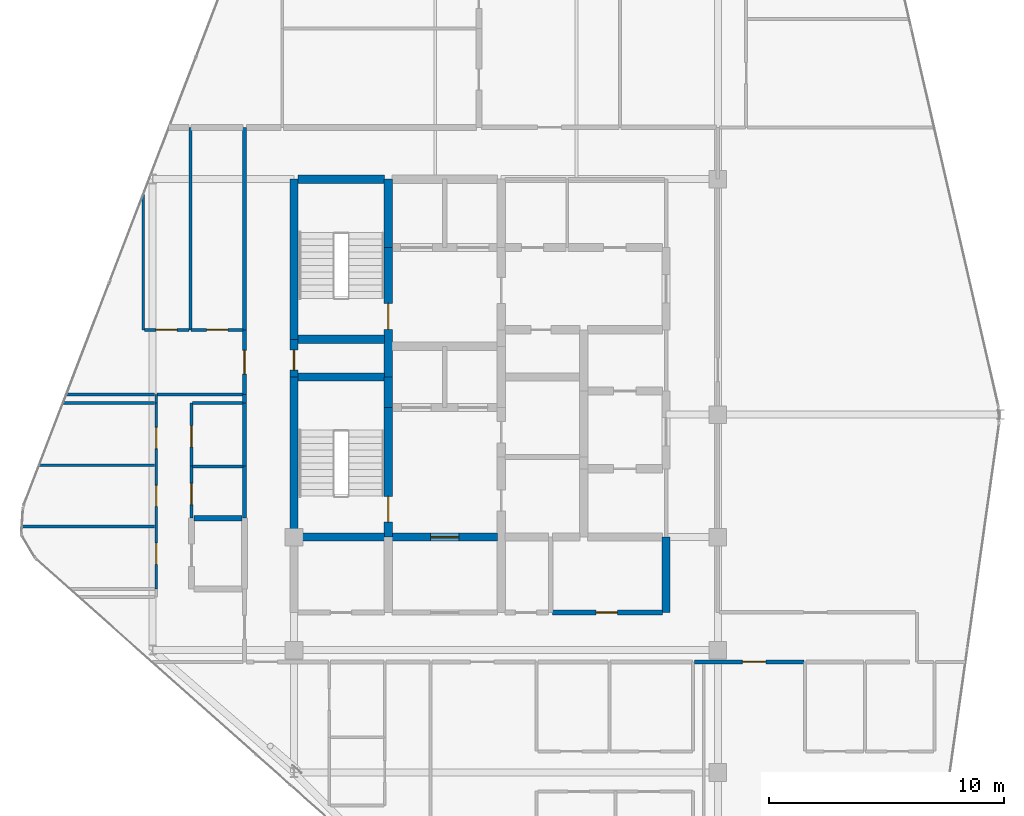
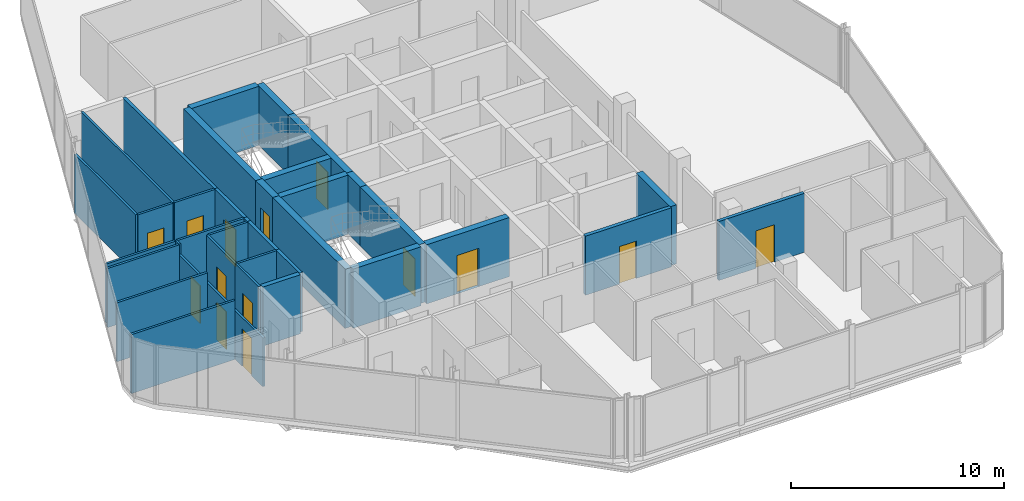
# One storey, part 23 of 27: 36 walls, 14 doors, 14 openings.
"""IFC4 building model written with IfcOpenShell, lengths in metres."""

from ifc_helpers import new_model, si_unit, direction, frame, frame_2d, origin, place, context, subcontext, project, spatial, rectangle, extrude, material, layer, layer_set, type_object, element, fill, save


model = new_model("IFC4")

# Units and contexts
model_context = context("Model", 3, precision=1e-05, world=origin(), true_north=direction((0.0, 1.0)))
body_context = subcontext(model_context, "Body", "Model", "MODEL_VIEW")
ifc_project = project(units=[si_unit("LENGTHUNIT", "METRE"), si_unit("AREAUNIT", "SQUARE_METRE"), si_unit("VOLUMEUNIT", "CUBIC_METRE"), si_unit("PLANEANGLEUNIT", "RADIAN"), si_unit("MASSUNIT", "GRAM", prefix="KILO")], contexts=[model_context])

# Site, building, storey
site_placement = place(None, origin())
site = spatial("IfcSite", under=ifc_project, at=site_placement, CompositionType="ELEMENT")
building_placement = place(site_placement, origin())
building = spatial("IfcBuilding", under=site, at=building_placement, Name="Keshet Zoharim Tower", CompositionType="ELEMENT")
storey_placement = place(building_placement, frame((0.0, 0.0, 247.300048828125)))
storey = spatial("IfcBuildingStorey", under=building, at=storey_placement, Name="L61", CompositionType="ELEMENT", Elevation=247.300048828125)

# Wall
ifc_material_1 = material(Name="Concrete C60/75", Category="concrete")
ifc_layer_1 = layer(ifc_material_1, 0.35009765625)
ifc_layer_set_1 = layer_set([ifc_layer_1], Name="Concrete C60/75")
wall_type_1 = type_object("IfcWallType", Name="WL-CORE-350", PredefinedType="SHEAR", material=ifc_layer_set_1)
wall_1_placement = place(storey_placement, frame((15.0, 22.699951171875, 0.0), z_axis=(0.0, 0.0, 1.0), x_axis=(0.0, 1.0, 0.0)))
element("IfcWall", 1, at=wall_1_placement, inside=storey, type_object=wall_type_1, Name="L61 Core Shear Wall 019", PredefinedType="SHEAR", context=body_context, shape_type="SweptSolid", body=[
    extrude(rectangle(XDim=6.800048828125, YDim=0.35009765625, at=frame_2d((3.39990234375, 0.0))), origin(), (0.0, 0.0, 1.0), 3.389892578125),
])

# Wall, opening, door
wall_2_placement = place(storey_placement, frame((15.0, 29.5, 0.0), z_axis=(0.0, 0.0, 1.0), x_axis=(0.0, 1.0, 0.0)))
wall_2 = element("IfcWall", 2, at=wall_2_placement, inside=storey, type_object=wall_type_1, Name="L61 Core Shear Wall 020", PredefinedType="SHEAR", context=body_context, shape_type="SweptSolid", body=[
    extrude(rectangle(XDim=1.60009765625, YDim=0.35009765625, at=frame_2d((0.800048828125, 0.0))), origin(), (0.0, 0.0, 1.0), 3.389892578125),
])
opening_1_placement = place(wall_2_placement, frame((0.287109375, 0.0, 0.0)))
opening_1 = element("IfcOpeningElement", 3, at=opening_1_placement, cuts=wall_2, Name="Opening D-RS85", PredefinedType="OPENING", context=body_context, shape_type="SweptSolid", body=[
    extrude(rectangle(XDim=0.85009765625, YDim=2.10009765625, at=frame_2d((0.425048828125, 1.050048828125))), frame((0.0, 0.18505859375, 0.0), z_axis=(0.0, -1.0, 0.0), x_axis=(1.0, 0.0, 0.0)), (0.0, 0.0, 1.0), 0.3701171875),
])
ifc_material_2 = material(Name="Hardwood Timber", Category="wood")
door_type_1 = type_object("IfcDoorType", Name="DR-RIS-085", OperationType="NOTDEFINED", PredefinedType="DOOR", material=ifc_material_2)
door_1_placement = place(opening_1_placement, origin())
door_1 = element("IfcDoor", 4, at=door_1_placement, inside=storey, type_object=door_type_1, Name="L61 Electrical Riser Access Cupboard Door", OperationType="SINGLE_SWING_LEFT", OverallHeight=2.10009765625, OverallWidth=0.85009765625, PredefinedType="DOOR", context=body_context, shape_type="SweptSolid", body=[
    extrude(rectangle(XDim=0.85009765625, YDim=2.10009765625, at=frame_2d((0.425048828125, 1.050048828125))), frame((0.0, 0.02490234375, 0.0), z_axis=(0.0, -1.0, 0.0), x_axis=(1.0, 0.0, 0.0)), (0.0, 0.0, 1.0), 0.050048828125),
])
fill(opening_1, door_1)

# Wall
wall_3_placement = place(storey_placement, frame((15.0, 31.10009765625, 0.0), z_axis=(0.0, 0.0, 1.0), x_axis=(0.0, 1.0, 0.0)))
element("IfcWall", 5, at=wall_3_placement, inside=storey, type_object=wall_type_1, Name="L61 Core Shear Wall 021", PredefinedType="SHEAR", context=body_context, shape_type="SweptSolid", body=[
    extrude(rectangle(XDim=6.7998046875, YDim=0.35009765625, at=frame_2d((3.39990234375, 0.0))), origin(), (0.0, 0.0, 1.0), 3.389892578125),
])

# Wall, opening, door
wall_4_placement = place(storey_placement, frame((19.0, 22.699951171875, 0.0), z_axis=(0.0, 0.0, 1.0), x_axis=(0.0, 1.0, 0.0)))
wall_4 = element("IfcWall", 6, at=wall_4_placement, inside=storey, type_object=wall_type_1, Name="L61 Core Shear Wall 027", PredefinedType="SHEAR", context=body_context, shape_type="SweptSolid", body=[
    extrude(rectangle(XDim=5.5, YDim=0.35009765625, at=frame_2d((2.75, 0.0))), origin(), (0.0, 0.0, 1.0), 3.389892578125),
])
opening_2_placement = place(wall_4_placement, frame((0.631103515625, 0.0, 0.0)))
opening_2 = element("IfcOpeningElement", 7, at=opening_2_placement, cuts=wall_4, Name="Opening D-F611", PredefinedType="OPENING", context=body_context, shape_type="SweptSolid", body=[
    extrude(rectangle(XDim=1.10009765625, YDim=2.14990234375, at=frame_2d((0.550048828125, 1.074951171875))), frame((0.0, 0.18505859375, 0.0), z_axis=(0.0, -1.0, 0.0), x_axis=(1.0, 0.0, 0.0)), (0.0, 0.0, 1.0), 0.3701171875),
])
door_type_2 = type_object("IfcDoorType", Name="DR-FD60-110", OperationType="NOTDEFINED", PredefinedType="DOOR", material=ifc_material_2)
door_2_placement = place(opening_2_placement, origin())
door_2 = element("IfcDoor", 8, at=door_2_placement, inside=storey, type_object=door_type_2, Name="L61 Exit Stair ST-01 Fire Door", OperationType="SINGLE_SWING_RIGHT", OverallHeight=2.14990234375, OverallWidth=1.10009765625, PredefinedType="DOOR", context=body_context, shape_type="SweptSolid", body=[
    extrude(rectangle(XDim=1.10009765625, YDim=2.14990234375, at=frame_2d((0.550048828125, 1.074951171875))), frame((0.0, 0.02490234375, 0.0), z_axis=(0.0, -1.0, 0.0), x_axis=(1.0, 0.0, 0.0)), (0.0, 0.0, 1.0), 0.050048828125),
])
fill(opening_2, door_2)

# Wall
wall_5_placement = place(storey_placement, frame((19.0, 28.199951171875, 0.0), z_axis=(0.0, 0.0, 1.0), x_axis=(0.0, 1.0, 0.0)))
element("IfcWall", 9, at=wall_5_placement, inside=storey, type_object=wall_type_1, Name="L61 Core Shear Wall 028", PredefinedType="SHEAR", context=body_context, shape_type="SweptSolid", body=[
    extrude(rectangle(XDim=1.300048828125, YDim=0.35009765625, at=frame_2d((0.64990234375, 0.0))), origin(), (0.0, 0.0, 1.0), 3.389892578125),
])

# Wall, opening, door
wall_6_placement = place(storey_placement, frame((19.0, 29.5, 0.0), z_axis=(0.0, 0.0, 1.0), x_axis=(0.0, 1.0, 0.0)))
wall_6 = element("IfcWall", 10, at=wall_6_placement, inside=storey, type_object=wall_type_1, Name="L61 Core Shear Wall 029", PredefinedType="SHEAR", context=body_context, shape_type="SweptSolid", body=[
    extrude(rectangle(XDim=5.5, YDim=0.35009765625, at=frame_2d((2.75, 0.0))), origin(), (0.0, 0.0, 1.0), 3.389892578125),
])
opening_3_placement = place(wall_6_placement, frame((2.02490234375, 0.0, 0.0)))
opening_3 = element("IfcOpeningElement", 11, at=opening_3_placement, cuts=wall_6, Name="Opening D-F611", PredefinedType="OPENING", context=body_context, shape_type="SweptSolid", body=[
    extrude(rectangle(XDim=1.10009765625, YDim=2.14990234375, at=frame_2d((0.550048828125, 1.074951171875))), frame((0.0, 0.18505859375, 0.0), z_axis=(0.0, -1.0, 0.0), x_axis=(1.0, 0.0, 0.0)), (0.0, 0.0, 1.0), 0.3701171875),
])
door_3_placement = place(opening_3_placement, origin())
door_3 = element("IfcDoor", 12, at=door_3_placement, inside=storey, type_object=door_type_2, Name="L61 Exit Stair ST-02 Fire Door", OperationType="SINGLE_SWING_LEFT", OverallHeight=2.14990234375, OverallWidth=1.10009765625, PredefinedType="DOOR", context=body_context, shape_type="SweptSolid", body=[
    extrude(rectangle(XDim=1.10009765625, YDim=2.14990234375, at=frame_2d((0.550048828125, 1.074951171875))), frame((0.0, 0.02490234375, 0.0), z_axis=(0.0, -1.0, 0.0), x_axis=(1.0, 0.0, 0.0)), (0.0, 0.0, 1.0), 0.050048828125),
])
fill(opening_3, door_3)

# Walls
wall_7_placement = place(storey_placement, frame((19.0, 35.0, 0.0), z_axis=(0.0, 0.0, 1.0), x_axis=(0.0, 1.0, 0.0)))
element("IfcWall", 13, at=wall_7_placement, inside=storey, type_object=wall_type_1, Name="L61 Core Shear Wall 030", PredefinedType="SHEAR", context=body_context, shape_type="SweptSolid", body=[
    extrude(rectangle(XDim=2.89990234375, YDim=0.35009765625, at=frame_2d((1.449951171875, 0.0))), origin(), (0.0, 0.0, 1.0), 3.389892578125),
])
wall_8_placement = place(storey_placement, frame((30.800048828125, 19.5, 0.0), z_axis=(0.0, 0.0, 1.0), x_axis=(0.0, 1.0, 0.0)))
element("IfcWall", 14, at=wall_8_placement, inside=storey, type_object=wall_type_1, Name="L61 Core Shear Wall 054", PredefinedType="SHEAR", context=body_context, shape_type="SweptSolid", body=[
    extrude(rectangle(XDim=3.199951171875, YDim=0.35009765625, at=frame_2d((1.60009765625, 0.0))), origin(), (0.0, 0.0, 1.0), 3.389892578125),
])
wall_9_placement = place(storey_placement, frame((15.159912109375, 22.699951171875, 0.0), z_axis=(0.0, 0.0, 1.0), x_axis=(1.0, 0.0, 0.0)))
element("IfcWall", 15, at=wall_9_placement, inside=storey, type_object=wall_type_1, Name="L61 Core Shear Wall 100", PredefinedType="SHEAR", context=body_context, shape_type="SweptSolid", body=[
    extrude(rectangle(XDim=3.68017578125, YDim=0.35009765625, at=frame_2d((1.840087890625, 0.0))), origin(), (0.0, 0.0, 1.0), 3.389892578125),
])

# Wall, opening, door
wall_10_placement = place(storey_placement, frame((19.159912109375, 22.699951171875, 0.0), z_axis=(0.0, 0.0, 1.0), x_axis=(1.0, 0.0, 0.0)))
wall_10 = element("IfcWall", 16, at=wall_10_placement, inside=storey, type_object=wall_type_1, Name="L61 Core Shear Wall 101", PredefinedType="SHEAR", context=body_context, shape_type="SweptSolid", body=[
    extrude(rectangle(XDim=4.47998046875, YDim=0.35009765625, at=frame_2d((2.239990234375, 0.0))), origin(), (0.0, 0.0, 1.0), 3.389892578125),
])
opening_4_placement = place(wall_10_placement, frame((1.639892578125, 0.0, 0.0)))
opening_4 = element("IfcOpeningElement", 17, at=opening_4_placement, cuts=wall_10, Name="Opening D-F612", PredefinedType="OPENING", context=body_context, shape_type="SweptSolid", body=[
    extrude(rectangle(XDim=1.199951171875, YDim=2.199951171875, at=frame_2d((0.60009765625, 1.10009765625))), frame((0.0, 0.18505859375, 0.0), z_axis=(0.0, -1.0, 0.0), x_axis=(1.0, 0.0, 0.0)), (0.0, 0.0, 1.0), 0.3701171875),
])
door_type_3 = type_object("IfcDoorType", Name="DR-FD60-120", OperationType="NOTDEFINED", PredefinedType="DOOR", material=ifc_material_2)
door_4_placement = place(opening_4_placement, origin())
door_4 = element("IfcDoor", 18, at=door_4_placement, inside=storey, type_object=door_type_3, Name="L61 South Core Lobby Fire Door", OperationType="SINGLE_SWING_LEFT", OverallHeight=2.199951171875, OverallWidth=1.199951171875, PredefinedType="DOOR", context=body_context, shape_type="SweptSolid", body=[
    extrude(rectangle(XDim=1.199951171875, YDim=2.199951171875, at=frame_2d((0.60009765625, 1.10009765625))), frame((0.0, 0.02490234375, 0.0), z_axis=(0.0, -1.0, 0.0), x_axis=(1.0, 0.0, 0.0)), (0.0, 0.0, 1.0), 0.050048828125),
])
fill(opening_4, door_4)

# Walls
for number, where, z_axis, x_axis, name in (
    (19, (15.159912109375, 29.5, 0.0), (0.0, 0.0, 1.0), (1.0, 0.0, 0.0), "L61 Core Shear Wall 117"),
    (20, (15.159912109375, 31.10009765625, 0.0), (0.0, 0.0, 1.0), (1.0, 0.0, 0.0), "L61 Core Shear Wall 120"),
    (21, (15.159912109375, 37.89990234375, 0.0), (0.0, 0.0, 1.0), (1.0, 0.0, 0.0), "L61 Core Shear Wall 128"),
):
    element("IfcWall", number, at=place(storey_placement, frame(where, z_axis=z_axis, x_axis=x_axis)), inside=storey, type_object=wall_type_1, Name=name, PredefinedType="SHEAR", context=body_context, shape_type="SweptSolid", body=[
        extrude(rectangle(XDim=3.68017578125, YDim=0.35009765625, at=frame_2d((1.840087890625, 0.0))), origin(), (0.0, 0.0, 1.0), 3.389892578125),
    ])
ifc_material_3 = material(Name="Gypsum Plasterboard", Category="gypsum")
ifc_layer_2 = layer(ifc_material_3, 0.179931640625)
ifc_layer_set_2 = layer_set([ifc_layer_2], Name="Gypsum Plasterboard")
wall_type_2 = type_object("IfcWallType", Name="WL-CORR-180", PredefinedType="STANDARD", material=ifc_layer_set_2)
wall_11_placement = place(storey_placement, frame((12.89990234375, 23.501953125, 0.0), z_axis=(0.0, 0.0, 1.0), x_axis=(0.0, 1.0, 0.0)))
element("IfcWall", 22, at=wall_11_placement, inside=storey, type_object=wall_type_2, Name="L61 Interior Wall 011", PredefinedType="STANDARD", context=body_context, shape_type="SweptSolid", body=[
    extrude(rectangle(XDim=2.212158203125, YDim=0.179931640625, at=frame_2d((1.10595703125, 0.0))), origin(), (0.0, 0.0, 1.0), 3.389892578125),
])
wall_12_placement = place(storey_placement, frame((12.89990234375, 25.714111328125, 0.0), z_axis=(0.0, 0.0, 1.0), x_axis=(0.0, 1.0, 0.0)))
element("IfcWall", 23, at=wall_12_placement, inside=storey, type_object=wall_type_2, Name="L61 Interior Wall 012", PredefinedType="STANDARD", context=body_context, shape_type="SweptSolid", body=[
    extrude(rectangle(XDim=2.685791015625, YDim=0.179931640625, at=frame_2d((1.3427734375, 0.0))), origin(), (0.0, 0.0, 1.0), 3.389892578125),
])
wall_13_placement = place(storey_placement, frame((12.89990234375, 28.39990234375, 0.0), z_axis=(0.0, 0.0, 1.0), x_axis=(0.0, 1.0, 0.0)))
element("IfcWall", 24, at=wall_13_placement, inside=storey, type_object=wall_type_2, Name="L61 Interior Wall 013", PredefinedType="STANDARD", context=body_context, shape_type="SweptSolid", body=[
    extrude(rectangle(XDim=0.35009765625, YDim=0.179931640625, at=frame_2d((0.175048828125, 0.0))), origin(), (0.0, 0.0, 1.0), 3.389892578125),
])

# Wall, opening, door
wall_14_placement = place(storey_placement, frame((12.89990234375, 28.75, 0.0), z_axis=(0.0, 0.0, 1.0), x_axis=(0.0, 1.0, 0.0)))
wall_14 = element("IfcWall", 25, at=wall_14_placement, inside=storey, type_object=wall_type_2, Name="L61 Interior Wall 014", PredefinedType="STANDARD", context=body_context, shape_type="SweptSolid", body=[
    extrude(rectangle(XDim=2.75, YDim=0.179931640625, at=frame_2d((1.375, 0.0))), origin(), (0.0, 0.0, 1.0), 3.389892578125),
])
opening_5_placement = place(wall_14_placement, frame((0.875, 0.0, 0.0)))
opening_5 = element("IfcOpeningElement", 26, at=opening_5_placement, cuts=wall_14, Name="Opening D-F310", PredefinedType="OPENING", context=body_context, shape_type="SweptSolid", body=[
    extrude(rectangle(XDim=1.0, YDim=2.14990234375, at=frame_2d((0.5, 1.074951171875))), frame((0.0, 0.10009765625, 0.0), z_axis=(0.0, -1.0, 0.0), x_axis=(1.0, 0.0, 0.0)), (0.0, 0.0, 1.0), 0.199951171875),
])
door_type_4 = type_object("IfcDoorType", Name="DR-FD30-100", OperationType="NOTDEFINED", PredefinedType="DOOR", material=ifc_material_2)
door_5_placement = place(opening_5_placement, origin())
door_5 = element("IfcDoor", 27, at=door_5_placement, inside=storey, type_object=door_type_4, Name="Apartment 6106 Entrance Door", OperationType="SINGLE_SWING_RIGHT", OverallHeight=2.14990234375, OverallWidth=1.0, PredefinedType="DOOR", context=body_context, shape_type="SweptSolid", body=[
    extrude(rectangle(XDim=1.0, YDim=2.14990234375, at=frame_2d((0.5, 1.074951171875))), frame((0.0, 0.02490234375, 0.0), z_axis=(0.0, -1.0, 0.0), x_axis=(1.0, 0.0, 0.0)), (0.0, 0.0, 1.0), 0.050048828125),
])
fill(opening_5, door_5)

# Wall
wall_15_placement = place(storey_placement, frame((12.89990234375, 31.5, 0.0), z_axis=(0.0, 0.0, 1.0), x_axis=(0.0, 1.0, 0.0)))
element("IfcWall", 28, at=wall_15_placement, inside=storey, type_object=wall_type_2, Name="L61 Interior Wall 015", PredefinedType="STANDARD", context=body_context, shape_type="SweptSolid", body=[
    extrude(rectangle(XDim=8.60009765625, YDim=0.179931640625, at=frame_2d((4.300048828125, 0.0))), origin(), (0.0, 0.0, 1.0), 3.389892578125),
])

# Wall, opening, door
wall_16_placement = place(storey_placement, frame((32.014892578125, 17.39990234375, 0.0), z_axis=(0.0, 0.0, 1.0), x_axis=(1.0, 0.0, 0.0)))
wall_16 = element("IfcWall", 29, at=wall_16_placement, inside=storey, type_object=wall_type_2, Name="L61 Interior Wall 087", PredefinedType="STANDARD", context=body_context, shape_type="SweptSolid", body=[
    extrude(rectangle(XDim=4.64013671875, YDim=0.179931640625, at=frame_2d((2.320068359375, 0.0))), origin(), (0.0, 0.0, 1.0), 3.389892578125),
])
opening_6_placement = place(wall_16_placement, frame((2.02001953125, 0.0, 0.0)))
opening_6 = element("IfcOpeningElement", 30, at=opening_6_placement, cuts=wall_16, Name="Opening D-F310", PredefinedType="OPENING", context=body_context, shape_type="SweptSolid", body=[
    extrude(rectangle(XDim=1.0, YDim=2.14990234375, at=frame_2d((0.5, 1.074951171875))), frame((0.0, 0.10009765625, 0.0), z_axis=(0.0, -1.0, 0.0), x_axis=(1.0, 0.0, 0.0)), (0.0, 0.0, 1.0), 0.199951171875),
])
door_6_placement = place(opening_6_placement, origin())
door_6 = element("IfcDoor", 31, at=door_6_placement, inside=storey, type_object=door_type_4, Name="Apartment 6103 Entrance Door", OperationType="SINGLE_SWING_LEFT", OverallHeight=2.14990234375, OverallWidth=1.0, PredefinedType="DOOR", context=body_context, shape_type="SweptSolid", body=[
    extrude(rectangle(XDim=1.0, YDim=2.14990234375, at=frame_2d((0.5, 1.074951171875))), frame((0.0, 0.02490234375, 0.0), z_axis=(0.0, -1.0, 0.0), x_axis=(1.0, 0.0, 0.0)), (0.0, 0.0, 1.0), 0.050048828125),
])
fill(opening_6, door_6)

ifc_material_4 = material(Name="Concrete C50/60", Category="concrete")
ifc_layer_3 = layer(ifc_material_4, 0.199951171875)
ifc_layer_set_3 = layer_set([ifc_layer_3], Name="Concrete C50/60")
wall_type_3 = type_object("IfcWallType", Name="WL-FIRE-200", PredefinedType="STANDARD", material=ifc_layer_set_3)
wall_17_placement = place(storey_placement, frame((25.985107421875, 19.5, 0.0), z_axis=(0.0, 0.0, 1.0), x_axis=(1.0, 0.0, 0.0)))
wall_17 = element("IfcWall", 32, at=wall_17_placement, inside=storey, type_object=wall_type_3, Name="L61 Interior Wall 095", PredefinedType="STANDARD", context=body_context, shape_type="SweptSolid", body=[
    extrude(rectangle(XDim=4.65478515625, YDim=0.199951171875, at=frame_2d((2.327392578125, 0.0))), origin(), (0.0, 0.0, 1.0), 3.389892578125),
])
opening_7_placement = place(wall_17_placement, frame((1.844970703125, 0.0, 0.0)))
opening_7 = element("IfcOpeningElement", 33, at=opening_7_placement, cuts=wall_17, Name="Opening D-F690", PredefinedType="OPENING", context=body_context, shape_type="SweptSolid", body=[
    extrude(rectangle(XDim=0.89990234375, YDim=2.14990234375, at=frame_2d((0.449951171875, 1.074951171875))), frame((0.0, 0.10986328125, 0.0), z_axis=(0.0, -1.0, 0.0), x_axis=(1.0, 0.0, 0.0)), (0.0, 0.0, 1.0), 0.219970703125),
])
door_type_5 = type_object("IfcDoorType", Name="DR-FD60-090", OperationType="NOTDEFINED", PredefinedType="DOOR", material=ifc_material_2)
door_7_placement = place(opening_7_placement, origin())
door_7 = element("IfcDoor", 34, at=door_7_placement, inside=storey, type_object=door_type_5, Name="L61 Meter Room Door", OperationType="SINGLE_SWING_LEFT", OverallHeight=2.14990234375, OverallWidth=0.89990234375, PredefinedType="DOOR", context=body_context, shape_type="SweptSolid", body=[
    extrude(rectangle(XDim=0.89990234375, YDim=2.14990234375, at=frame_2d((0.449951171875, 1.074951171875))), frame((0.0, 0.02490234375, 0.0), z_axis=(0.0, -1.0, 0.0), x_axis=(1.0, 0.0, 0.0)), (0.0, 0.0, 1.0), 0.050048828125),
])
fill(opening_7, door_7)

# Walls
ifc_layer_4 = layer(ifc_material_4, 0.25)
ifc_layer_set_4 = layer_set([ifc_layer_4], Name="Concrete C50/60")
wall_type_4 = type_object("IfcWallType", Name="WL-MAMAD-250", PredefinedType="STANDARD", material=ifc_layer_set_4)
wall_18_placement = place(storey_placement, frame((10.760009765625, 23.5, 0.0), z_axis=(0.0, 0.0, 1.0), x_axis=(1.0, 0.0, 0.0)))
element("IfcWall", 35, at=wall_18_placement, inside=storey, type_object=wall_type_4, Name="L61 Interior Wall 106", PredefinedType="STANDARD", context=body_context, shape_type="SweptSolid", body=[
    extrude(rectangle(XDim=2.030029296875, YDim=0.25, at=frame_2d((1.01513671875, 0.0))), origin(), (0.0, 0.0, 1.0), 3.389892578125),
])
ifc_layer_5 = layer(ifc_material_3, 0.1201171875)
ifc_layer_set_5 = layer_set([ifc_layer_5], Name="Gypsum Plasterboard")
wall_type_5 = type_object("IfcWallType", Name="WL-PART-120", PredefinedType="PARTITIONING", material=ifc_layer_set_5)
wall_19_placement = place(storey_placement, frame((8.60009765625, 31.5, 0.0), z_axis=(0.0, 0.0, 1.0), x_axis=(0.0, 1.0, 0.0)))
element("IfcWall", 36, at=wall_19_placement, inside=storey, type_object=wall_type_5, Name="L61 Interior Wall 001", PredefinedType="PARTITIONING", context=body_context, shape_type="SweptSolid", body=[
    extrude(rectangle(XDim=5.75, YDim=0.1201171875, at=frame_2d((2.875, 0.0))), origin(), (0.0, 0.0, 1.0), 3.389892578125),
])

# Wall, openings, doors
wall_20_placement = place(storey_placement, frame((9.14990234375, 20.5, 0.0), z_axis=(0.0, 0.0, 1.0), x_axis=(0.0, 1.0, 0.0)))
wall_20 = element("IfcWall", 37, at=wall_20_placement, inside=storey, type_object=wall_type_5, Name="L61 Interior Wall 003", PredefinedType="PARTITIONING", context=body_context, shape_type="SweptSolid", body=[
    extrude(rectangle(XDim=7.89990234375, YDim=0.1201171875, at=frame_2d((3.949951171875, 0.0))), origin(), (0.0, 0.0, 1.0), 2.7900390625),
])
opening_8_placement = place(wall_20_placement, frame((1.041015625, 0.0, 0.0)))
opening_8 = element("IfcOpeningElement", 38, at=opening_8_placement, cuts=wall_20, Name="Opening D-IN90", PredefinedType="OPENING", context=body_context, shape_type="SweptSolid", body=[
    extrude(rectangle(XDim=0.89990234375, YDim=2.14990234375, at=frame_2d((0.449951171875, 1.074951171875))), frame((0.0, 0.070068359375, 0.0), z_axis=(0.0, -1.0, 0.0), x_axis=(1.0, 0.0, 0.0)), (0.0, 0.0, 1.0), 0.14013671875),
])
opening_9_placement = place(wall_20_placement, frame((3.5, 0.0, 0.0)))
opening_9 = element("IfcOpeningElement", 39, at=opening_9_placement, cuts=wall_20, Name="Opening D-IN90", PredefinedType="OPENING", context=body_context, shape_type="SweptSolid", body=[
    extrude(rectangle(XDim=0.89990234375, YDim=2.14990234375, at=frame_2d((0.449951171875, 1.074951171875))), frame((0.0, 0.070068359375, 0.0), z_axis=(0.0, -1.0, 0.0), x_axis=(1.0, 0.0, 0.0)), (0.0, 0.0, 1.0), 0.14013671875),
])
opening_10_placement = place(wall_20_placement, frame((5.958984375, 0.0, 0.0)))
opening_10 = element("IfcOpeningElement", 40, at=opening_10_placement, cuts=wall_20, Name="Opening D-IN90", PredefinedType="OPENING", context=body_context, shape_type="SweptSolid", body=[
    extrude(rectangle(XDim=0.89990234375, YDim=2.14990234375, at=frame_2d((0.449951171875, 1.074951171875))), frame((0.0, 0.070068359375, 0.0), z_axis=(0.0, -1.0, 0.0), x_axis=(1.0, 0.0, 0.0)), (0.0, 0.0, 1.0), 0.14013671875),
])
door_type_6 = type_object("IfcDoorType", Name="DR-INT-090", OperationType="NOTDEFINED", PredefinedType="DOOR", material=ifc_material_2)
door_8_placement = place(opening_8_placement, origin())
door_8 = element("IfcDoor", 41, at=door_8_placement, inside=storey, type_object=door_type_6, Name="Apartment 6105 Bedroom 1 Door", OperationType="SINGLE_SWING_LEFT", OverallHeight=2.14990234375, OverallWidth=0.89990234375, PredefinedType="DOOR", context=body_context, shape_type="SweptSolid", body=[
    extrude(rectangle(XDim=0.89990234375, YDim=2.14990234375, at=frame_2d((0.449951171875, 1.074951171875))), frame((0.0, 0.02490234375, 0.0), z_axis=(0.0, -1.0, 0.0), x_axis=(1.0, 0.0, 0.0)), (0.0, 0.0, 1.0), 0.050048828125),
])
fill(opening_8, door_8)
door_9_placement = place(opening_9_placement, origin())
door_9 = element("IfcDoor", 42, at=door_9_placement, inside=storey, type_object=door_type_6, Name="Apartment 6105 Bedroom 2 Door", OperationType="SINGLE_SWING_RIGHT", OverallHeight=2.14990234375, OverallWidth=0.89990234375, PredefinedType="DOOR", context=body_context, shape_type="SweptSolid", body=[
    extrude(rectangle(XDim=0.89990234375, YDim=2.14990234375, at=frame_2d((0.449951171875, 1.074951171875))), frame((0.0, 0.02490234375, 0.0), z_axis=(0.0, -1.0, 0.0), x_axis=(1.0, 0.0, 0.0)), (0.0, 0.0, 1.0), 0.050048828125),
])
fill(opening_9, door_9)
door_10_placement = place(opening_10_placement, origin())
door_10 = element("IfcDoor", 43, at=door_10_placement, inside=storey, type_object=door_type_6, Name="Apartment 6105 Bedroom 3 Door", OperationType="SINGLE_SWING_LEFT", OverallHeight=2.14990234375, OverallWidth=0.89990234375, PredefinedType="DOOR", context=body_context, shape_type="SweptSolid", body=[
    extrude(rectangle(XDim=0.89990234375, YDim=2.14990234375, at=frame_2d((0.449951171875, 1.074951171875))), frame((0.0, 0.02490234375, 0.0), z_axis=(0.0, -1.0, 0.0), x_axis=(1.0, 0.0, 0.0)), (0.0, 0.0, 1.0), 0.050048828125),
])
fill(opening_10, door_10)

# Wall
wall_21_placement = place(storey_placement, frame((9.14990234375, 28.39990234375, 0.0), z_axis=(0.0, 0.0, 1.0), x_axis=(0.0, 1.0, 0.0)))
element("IfcWall", 44, at=wall_21_placement, inside=storey, type_object=wall_type_5, Name="L61 Interior Wall 004", PredefinedType="PARTITIONING", context=body_context, shape_type="SweptSolid", body=[
    extrude(rectangle(XDim=0.35009765625, YDim=0.1201171875, at=frame_2d((0.175048828125, 0.0))), origin(), (0.0, 0.0, 1.0), 3.389892578125),
])

# Wall, opening, door
wall_22_placement = place(storey_placement, frame((10.64990234375, 25.714111328125, 0.0), z_axis=(0.0, 0.0, 1.0), x_axis=(0.0, 1.0, 0.0)))
wall_22 = element("IfcWall", 45, at=wall_22_placement, inside=storey, type_object=wall_type_5, Name="L61 Interior Wall 008", PredefinedType="PARTITIONING", context=body_context, shape_type="SweptSolid", body=[
    extrude(rectangle(XDim=2.685791015625, YDim=0.1201171875, at=frame_2d((1.3427734375, 0.0))), origin(), (0.0, 0.0, 1.0), 3.389892578125),
])
opening_11_placement = place(wall_22_placement, frame((0.822021484375, 0.0, 0.0)))
opening_11 = element("IfcOpeningElement", 46, at=opening_11_placement, cuts=wall_22, Name="Opening D-IN90", PredefinedType="OPENING", context=body_context, shape_type="SweptSolid", body=[
    extrude(rectangle(XDim=0.89990234375, YDim=2.14990234375, at=frame_2d((0.449951171875, 1.074951171875))), frame((0.0, 0.070068359375, 0.0), z_axis=(0.0, -1.0, 0.0), x_axis=(1.0, 0.0, 0.0)), (0.0, 0.0, 1.0), 0.14013671875),
])
door_11_placement = place(opening_11_placement, origin())
door_11 = element("IfcDoor", 47, at=door_11_placement, inside=storey, type_object=door_type_6, Name="Apartment 6105 Kitchen Door", OperationType="SINGLE_SWING_RIGHT", OverallHeight=2.14990234375, OverallWidth=0.89990234375, PredefinedType="DOOR", context=body_context, shape_type="SweptSolid", body=[
    extrude(rectangle(XDim=0.89990234375, YDim=2.14990234375, at=frame_2d((0.449951171875, 1.074951171875))), frame((0.0, 0.02490234375, 0.0), z_axis=(0.0, -1.0, 0.0), x_axis=(1.0, 0.0, 0.0)), (0.0, 0.0, 1.0), 0.050048828125),
])
fill(opening_11, door_11)

# Walls
wall_23_placement = place(storey_placement, frame((3.451904296875, 23.14990234375, 0.0), z_axis=(0.0, 0.0, 1.0), x_axis=(1.0, 0.0, 0.0)))
element("IfcWall", 48, at=wall_23_placement, inside=storey, type_object=wall_type_5, Name="L61 Interior Wall 105", PredefinedType="PARTITIONING", context=body_context, shape_type="SweptSolid", body=[
    extrude(rectangle(XDim=5.633056640625, YDim=0.1201171875, at=frame_2d((2.81640625, 0.0))), origin(), (0.0, 0.0, 1.0), 3.389892578125),
])
wall_24_placement = place(storey_placement, frame((4.18310546875, 25.75, 0.0), z_axis=(0.0, 0.0, 1.0), x_axis=(1.0, 0.0, 0.0)))
element("IfcWall", 49, at=wall_24_placement, inside=storey, type_object=wall_type_5, Name="L61 Interior Wall 109", PredefinedType="PARTITIONING", context=body_context, shape_type="SweptSolid", body=[
    extrude(rectangle(XDim=4.90185546875, YDim=0.1201171875, at=frame_2d((2.450927734375, 0.0))), origin(), (0.0, 0.0, 1.0), 3.389892578125),
])
wall_25_placement = place(storey_placement, frame((5.201904296875, 28.39990234375, 0.0), z_axis=(0.0, 0.0, 1.0), x_axis=(1.0, 0.0, 0.0)))
element("IfcWall", 50, at=wall_25_placement, inside=storey, type_object=wall_type_5, Name="L61 Interior Wall 112", PredefinedType="PARTITIONING", context=body_context, shape_type="SweptSolid", body=[
    extrude(rectangle(XDim=3.883056640625, YDim=0.1201171875, at=frame_2d((1.94140625, 0.0))), origin(), (0.0, 0.0, 1.0), 3.389892578125),
])
wall_26_placement = place(storey_placement, frame((10.695068359375, 28.39990234375, 0.0), z_axis=(0.0, 0.0, 1.0), x_axis=(1.0, 0.0, 0.0)))
element("IfcWall", 51, at=wall_26_placement, inside=storey, type_object=wall_type_5, Name="L61 Interior Wall 113", PredefinedType="PARTITIONING", context=body_context, shape_type="SweptSolid", body=[
    extrude(rectangle(XDim=2.1298828125, YDim=0.1201171875, at=frame_2d((1.06494140625, 0.0))), origin(), (0.0, 0.0, 1.0), 3.389892578125),
])
wall_27_placement = place(storey_placement, frame((5.3369140625, 28.75, 0.0), z_axis=(0.0, 0.0, 1.0), x_axis=(1.0, 0.0, 0.0)))
element("IfcWall", 52, at=wall_27_placement, inside=storey, type_object=wall_type_5, Name="L61 Interior Wall 114", PredefinedType="PARTITIONING", context=body_context, shape_type="SweptSolid", body=[
    extrude(rectangle(XDim=3.748046875, YDim=0.1201171875, at=frame_2d((1.8740234375, 0.0))), origin(), (0.0, 0.0, 1.0), 3.389892578125),
])
wall_28_placement = place(storey_placement, frame((9.175048828125, 28.75, 0.0), z_axis=(0.0, 0.0, 1.0), x_axis=(1.0, 0.0, 0.0)))
element("IfcWall", 53, at=wall_28_placement, inside=storey, type_object=wall_type_5, Name="L61 Interior Wall 115", PredefinedType="PARTITIONING", context=body_context, shape_type="SweptSolid", body=[
    extrude(rectangle(XDim=3.64990234375, YDim=0.1201171875, at=frame_2d((1.824951171875, 0.0))), origin(), (0.0, 0.0, 1.0), 3.389892578125),
])

# Wall, opening, door
wall_29_placement = place(storey_placement, frame((8.64501953125, 31.5, 0.0), z_axis=(0.0, 0.0, 1.0), x_axis=(1.0, 0.0, 0.0)))
wall_29 = element("IfcWall", 54, at=wall_29_placement, inside=storey, type_object=wall_type_5, Name="L61 Interior Wall 121", PredefinedType="PARTITIONING", context=body_context, shape_type="SweptSolid", body=[
    extrude(rectangle(XDim=1.887939453125, YDim=0.1201171875, at=frame_2d((0.94384765625, 0.0))), origin(), (0.0, 0.0, 1.0), 3.389892578125),
])
opening_12_placement = place(wall_29_placement, frame((0.493896484375, 0.0, 0.0)))
opening_12 = element("IfcOpeningElement", 55, at=opening_12_placement, cuts=wall_29, Name="Opening D-IN90", PredefinedType="OPENING", context=body_context, shape_type="SweptSolid", body=[
    extrude(rectangle(XDim=0.89990234375, YDim=2.14990234375, at=frame_2d((0.449951171875, 1.074951171875))), frame((0.0, 0.070068359375, 0.0), z_axis=(0.0, -1.0, 0.0), x_axis=(1.0, 0.0, 0.0)), (0.0, 0.0, 1.0), 0.14013671875),
])
door_12_placement = place(opening_12_placement, origin())
door_12 = element("IfcDoor", 56, at=door_12_placement, inside=storey, type_object=door_type_6, Name="Apartment 6106 Kitchen Door", OperationType="SINGLE_SWING_RIGHT", OverallHeight=2.14990234375, OverallWidth=0.89990234375, PredefinedType="DOOR", context=body_context, shape_type="SweptSolid", body=[
    extrude(rectangle(XDim=0.89990234375, YDim=2.14990234375, at=frame_2d((0.449951171875, 1.074951171875))), frame((0.0, 0.02490234375, 0.0), z_axis=(0.0, -1.0, 0.0), x_axis=(1.0, 0.0, 0.0)), (0.0, 0.0, 1.0), 0.050048828125),
])
fill(opening_12, door_12)

# Wall
ifc_layer_6 = layer(ifc_material_3, 0.1201171875)
ifc_layer_set_6 = layer_set([ifc_layer_6], Name="Gypsum Plasterboard")
wall_type_6 = type_object("IfcWallType", Name="WL-WET-120", PredefinedType="PARTITIONING", material=ifc_layer_set_6)
wall_30_placement = place(storey_placement, frame((10.60009765625, 31.5, 0.0), z_axis=(0.0, 0.0, 1.0), x_axis=(0.0, 1.0, 0.0)))
element("IfcWall", 57, at=wall_30_placement, inside=storey, type_object=wall_type_6, Name="L61 Interior Wall 005", PredefinedType="PARTITIONING", context=body_context, shape_type="SweptSolid", body=[
    extrude(rectangle(XDim=8.60009765625, YDim=0.1201171875, at=frame_2d((4.300048828125, 0.0))), origin(), (0.0, 0.0, 1.0), 3.389892578125),
])

# Wall, opening, door
wall_31_placement = place(storey_placement, frame((10.64990234375, 23.501953125, 0.0), z_axis=(0.0, 0.0, 1.0), x_axis=(0.0, 1.0, 0.0)))
wall_31 = element("IfcWall", 58, at=wall_31_placement, inside=storey, type_object=wall_type_6, Name="L61 Interior Wall 007", PredefinedType="PARTITIONING", context=body_context, shape_type="SweptSolid", body=[
    extrude(rectangle(XDim=2.212158203125, YDim=0.1201171875, at=frame_2d((1.10595703125, 0.0))), origin(), (0.0, 0.0, 1.0), 3.389892578125),
])
opening_13_placement = place(wall_31_placement, frame((0.577880859375, 0.0, 0.0)))
opening_13 = element("IfcOpeningElement", 59, at=opening_13_placement, cuts=wall_31, Name="Opening D-WT90", PredefinedType="OPENING", context=body_context, shape_type="SweptSolid", body=[
    extrude(rectangle(XDim=0.89990234375, YDim=2.10009765625, at=frame_2d((0.449951171875, 1.050048828125))), frame((0.0, 0.070068359375, 0.0), z_axis=(0.0, -1.0, 0.0), x_axis=(1.0, 0.0, 0.0)), (0.0, 0.0, 1.0), 0.14013671875),
])
door_type_7 = type_object("IfcDoorType", Name="DR-WET-090", OperationType="NOTDEFINED", PredefinedType="DOOR", material=ifc_material_2)
door_13_placement = place(opening_13_placement, origin())
door_13 = element("IfcDoor", 60, at=door_13_placement, inside=storey, type_object=door_type_7, Name="Apartment 6105 Bathroom Door", OperationType="SINGLE_SWING_LEFT", OverallHeight=2.10009765625, OverallWidth=0.89990234375, PredefinedType="DOOR", context=body_context, shape_type="SweptSolid", body=[
    extrude(rectangle(XDim=0.89990234375, YDim=2.10009765625, at=frame_2d((0.449951171875, 1.050048828125))), frame((0.0, 0.02490234375, 0.0), z_axis=(0.0, -1.0, 0.0), x_axis=(1.0, 0.0, 0.0)), (0.0, 0.0, 1.0), 0.050048828125),
])
fill(opening_13, door_13)

# Wall
wall_32_placement = place(storey_placement, frame((10.695068359375, 25.699951171875, 0.0), z_axis=(0.0, 0.0, 1.0), x_axis=(1.0, 0.0, 0.0)))
element("IfcWall", 61, at=wall_32_placement, inside=storey, type_object=wall_type_6, Name="L61 Interior Wall 108", PredefinedType="PARTITIONING", context=body_context, shape_type="SweptSolid", body=[
    extrude(rectangle(XDim=2.1298828125, YDim=0.1201171875, at=frame_2d((1.06494140625, 0.0))), origin(), (0.0, 0.0, 1.0), 3.389892578125),
])

# Wall, opening, door
wall_33_placement = place(storey_placement, frame((10.623046875, 31.5, 0.0), z_axis=(0.0, 0.0, 1.0), x_axis=(1.0, 0.0, 0.0)))
wall_33 = element("IfcWall", 62, at=wall_33_placement, inside=storey, type_object=wall_type_6, Name="L61 Interior Wall 122", PredefinedType="PARTITIONING", context=body_context, shape_type="SweptSolid", body=[
    extrude(rectangle(XDim=2.201904296875, YDim=0.1201171875, at=frame_2d((1.10107421875, 0.0))), origin(), (0.0, 0.0, 1.0), 3.389892578125),
])
opening_14_placement = place(wall_33_placement, frame((0.666015625, 0.0, 0.0)))
opening_14 = element("IfcOpeningElement", 63, at=opening_14_placement, cuts=wall_33, Name="Opening D-WT90", PredefinedType="OPENING", context=body_context, shape_type="SweptSolid", body=[
    extrude(rectangle(XDim=0.89990234375, YDim=2.10009765625, at=frame_2d((0.449951171875, 1.050048828125))), frame((0.0, 0.070068359375, 0.0), z_axis=(0.0, -1.0, 0.0), x_axis=(1.0, 0.0, 0.0)), (0.0, 0.0, 1.0), 0.14013671875),
])
door_14_placement = place(opening_14_placement, origin())
door_14 = element("IfcDoor", 64, at=door_14_placement, inside=storey, type_object=door_type_7, Name="Apartment 6106 Bathroom Door", OperationType="SINGLE_SWING_LEFT", OverallHeight=2.10009765625, OverallWidth=0.89990234375, PredefinedType="DOOR", context=body_context, shape_type="SweptSolid", body=[
    extrude(rectangle(XDim=0.89990234375, YDim=2.10009765625, at=frame_2d((0.449951171875, 1.050048828125))), frame((0.0, 0.02490234375, 0.0), z_axis=(0.0, -1.0, 0.0), x_axis=(1.0, 0.0, 0.0)), (0.0, 0.0, 1.0), 0.050048828125),
])
fill(opening_14, door_14)

save(model, "model.ifc")
